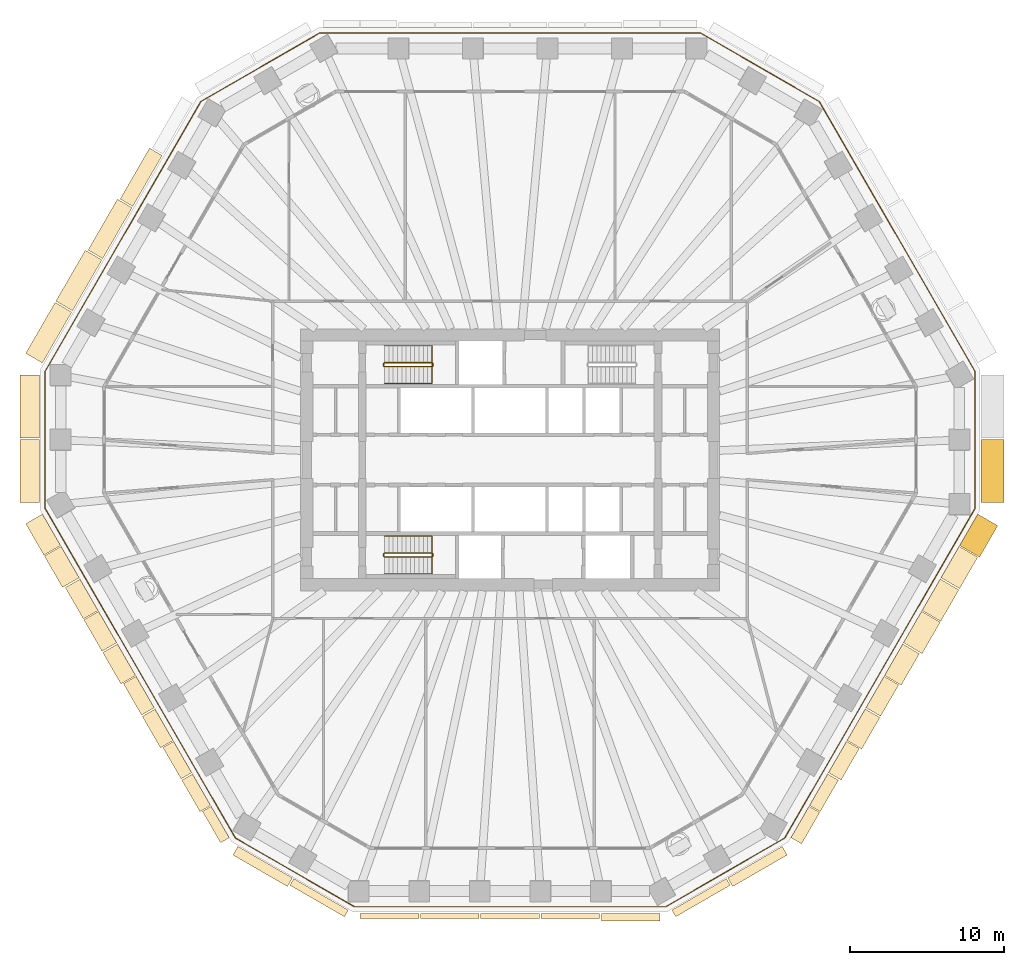
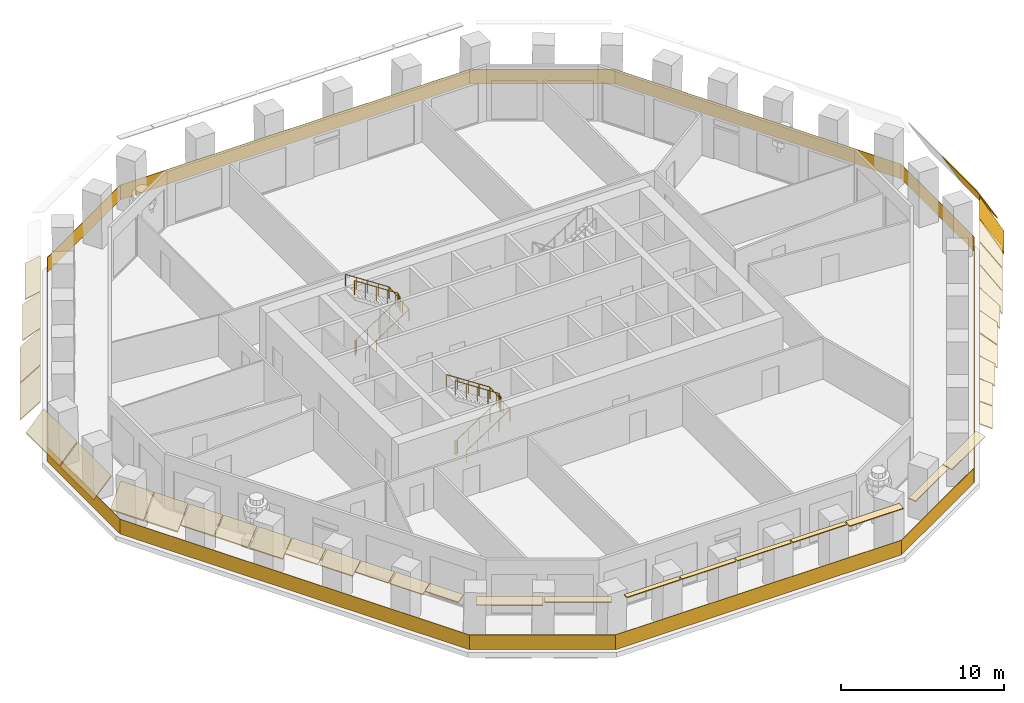
# One storey, part 9 of 12: 36 coverings, 5 railings.
"""IFC4 building model written with IfcOpenShell, lengths in metres."""

from ifc_helpers import new_model, si_unit, direction, frame, origin, origin_2d, place, context, subcontext, project, spatial, polyline, rectangle, circle, outline, extrude, material, layer, layer_set, type_object, element, save


model = new_model("IFC4")

# Units and contexts
model_context = context("Model", 3, precision=1e-05, world=origin(), true_north=direction((0.0, 1.0)))
body_context = subcontext(model_context, "Body", "Model", "MODEL_VIEW")
ifc_project = project(units=[si_unit("LENGTHUNIT", "METRE"), si_unit("AREAUNIT", "SQUARE_METRE"), si_unit("VOLUMEUNIT", "CUBIC_METRE"), si_unit("PLANEANGLEUNIT", "RADIAN"), si_unit("MASSUNIT", "GRAM", prefix="KILO")], contexts=[model_context])

# Site, building, storey
site_placement = place(None, origin())
site = spatial("IfcSite", under=ifc_project, at=site_placement, CompositionType="ELEMENT")
building_placement = place(site_placement, origin())
building = spatial("IfcBuilding", under=site, at=building_placement, Name="Frailejon Research Tower", CompositionType="ELEMENT")
storey_placement = place(building_placement, frame((0.0, 0.0, 122.0)))
storey = spatial("IfcBuildingStorey", under=building, at=storey_placement, Name="L26", CompositionType="ELEMENT", Elevation=122.0)

# Coverings
ifc_material_1 = material(Name="Precast concrete C50/60", Category="concrete")
ifc_layer_1 = layer(ifc_material_1, 0.06005859375)
ifc_layer_set_1 = layer_set([ifc_layer_1], Name="Brim blade depth 1100")
covering_type_1 = type_object("IfcCoveringType", Name="Brim blade depth 1100", PredefinedType="CLADDING", material=ifc_layer_set_1)
covering_1_placement = place(storey_placement, frame((-26.442626953125, 13.0654296875, 4.25), z_axis=(0.500001217064, 0.866024701111, 0.0), x_axis=(-0.866024701111, 0.500001217064, 0.0)))
element("IfcCovering", 1, at=covering_1_placement, inside=storey, type_object=covering_type_1, Name="Brim blade L26", PredefinedType="CLADDING", context=body_context, shape_type="SweptSolid", body=[
    extrude(outline(polyline([(0.0, -0.078369140625), (1.10009765625, -1.001220703125), (1.10009765625, -0.923095703125), (0.0, 0.0), (0.0, -0.078369140625)])), origin(), (0.0, 0.0, 1.0), 3.8125),
])
for number, where, z_axis, x_axis, name in (
    (2, (-26.7421875, -9.781005859375, 4.25), (-0.499996739973, 0.866027285954, 0.0), (-0.866027285954, -0.499996739973, 0.0), "Brim blade L26"),
    (3, (-25.53466796875, -11.872802734375, 4.25), (-0.499996739973, 0.866027285954, 0.0), (-0.866027285954, -0.499996739973, 0.0), "Brim blade L26"),
    (4, (-24.306884765625, -13.9990234375, 4.25), (-0.50000563012, 0.866022153209, 0.0), (-0.866022153209, -0.50000563012, 0.0), "Brim blade L26"),
    (5, (23.04931640625, -16.17724609375, 4.25), (-0.499996739973, -0.866027285954, 0.0), (0.866027285954, -0.499996739973, 0.0), "Brim blade L26"),
    (6, (24.277099609375, -14.051025390625, 4.25), (-0.50000563012, -0.866022153209, 0.0), (0.866022153209, -0.50000563012, 0.0), "Brim blade L26"),
):
    element("IfcCovering", number, at=place(storey_placement, frame(where, z_axis=z_axis, x_axis=x_axis)), inside=storey, type_object=covering_type_1, Name=name, PredefinedType="CLADDING", context=body_context, shape_type="SweptSolid", body=[
        extrude(outline(polyline([(0.0, -0.078369140625), (1.10009765625, -1.001220703125), (1.10009765625, -0.923095703125), (0.0, 0.0), (0.0, -0.078369140625)])), origin(), (0.0, 0.0, 1.0), 2.355224609375),
    ])
ifc_material_2 = material(Name="Precast concrete C50/60", Category="concrete")
ifc_layer_2 = layer(ifc_material_2, 0.06005859375)
ifc_layer_set_2 = layer_set([ifc_layer_2], Name="Brim blade depth 1250")
covering_type_2 = type_object("IfcCoveringType", Name="Brim blade depth 1250", PredefinedType="CLADDING", material=ifc_layer_set_2)
covering_2_placement = place(storey_placement, frame((-28.39892578125, 9.677001953125, 4.25), z_axis=(0.499990149831, 0.866031090707, 0.0), x_axis=(-0.866031090707, 0.499990149831, 0.0)))
element("IfcCovering", 7, at=covering_2_placement, inside=storey, type_object=covering_type_2, Name="Brim blade L26", PredefinedType="CLADDING", context=body_context, shape_type="SweptSolid", body=[
    extrude(outline(polyline([(0.0, -0.0888671875), (1.25, -1.452880859375), (1.25, -1.364013671875), (0.0, 0.0), (0.0, -0.0888671875)])), origin(), (0.0, 0.0, 1.0), 3.812744140625),
])
covering_3_placement = place(storey_placement, frame((-30.355224609375, 6.28857421875, 4.25), z_axis=(0.500001217064, 0.866024701111, 0.0), x_axis=(-0.866024701111, 0.500001217064, 0.0)))
element("IfcCovering", 8, at=covering_3_placement, inside=storey, type_object=covering_type_2, Name="Brim blade L26", PredefinedType="CLADDING", context=body_context, shape_type="SweptSolid", body=[
    extrude(outline(polyline([(0.0, -0.0888671875), (1.25, -1.452880859375), (1.25, -1.364013671875), (0.0, 0.0), (0.0, -0.0888671875)])), origin(), (0.0, 0.0, 1.0), 3.8125),
])
covering_4_placement = place(storey_placement, frame((-30.56103515625, 1.432861328125, 4.25), z_axis=(0.0, 1.0, 0.0), x_axis=(-1.0, 0.0, 0.0)))
element("IfcCovering", 9, at=covering_4_placement, inside=storey, type_object=covering_type_2, Name="Brim blade L26", PredefinedType="CLADDING", context=body_context, shape_type="SweptSolid", body=[
    extrude(outline(polyline([(0.0, -0.0888671875), (1.25, -1.452880859375), (1.25, -1.364013671875), (0.0, 0.0), (0.0, -0.0888671875)])), origin(), (0.0, 0.0, 1.0), 4.08740234375),
])
covering_5_placement = place(storey_placement, frame((-30.56103515625, -2.7548828125, 4.25), z_axis=(0.0, 1.0, 0.0), x_axis=(-1.0, 0.0, 0.0)))
element("IfcCovering", 10, at=covering_5_placement, inside=storey, type_object=covering_type_2, Name="Brim blade L26", PredefinedType="CLADDING", context=body_context, shape_type="SweptSolid", body=[
    extrude(outline(polyline([(0.0, -0.0888671875), (1.25, -1.452880859375), (1.25, -1.364013671875), (0.0, 0.0), (0.0, -0.0888671875)])), origin(), (0.0, 0.0, 1.0), 4.087646484375),
])
for number, where, z_axis, x_axis, name in (
    (11, (-29.177490234375, -5.56298828125, 4.25), (-0.499996739973, 0.866027285954, 0.0), (-0.866027285954, -0.499996739973, 0.0), "Brim blade L26"),
    (12, (-27.969970703125, -7.654541015625, 4.25), (-0.499996739973, 0.866027285954, 0.0), (-0.866027285954, -0.499996739973, 0.0), "Brim blade L26"),
    (13, (25.484619140625, -11.959228515625, 4.25), (-0.50000563012, -0.866022153209, 0.0), (0.866022153209, -0.50000563012, 0.0), "Brim blade L26"),
):
    element("IfcCovering", number, at=place(storey_placement, frame(where, z_axis=z_axis, x_axis=x_axis)), inside=storey, type_object=covering_type_2, Name=name, PredefinedType="CLADDING", context=body_context, shape_type="SweptSolid", body=[
        extrude(outline(polyline([(0.0, -0.0888671875), (1.25, -1.452880859375), (1.25, -1.364013671875), (0.0, 0.0), (0.0, -0.0888671875)])), origin(), (0.0, 0.0, 1.0), 2.355224609375),
    ])
ifc_material_3 = material(Name="Precast concrete C50/60", Category="concrete")
ifc_layer_3 = layer(ifc_material_3, 0.06005859375)
ifc_layer_set_3 = layer_set([ifc_layer_3], Name="Brim blade depth 1400")
covering_type_3 = type_object("IfcCoveringType", Name="Brim blade depth 1400", PredefinedType="CLADDING", material=ifc_layer_set_3)
for number, where, z_axis, x_axis, name in (
    (14, (26.71240234375, -9.8330078125, 4.25), (-0.499996739973, -0.866027285954, 0.0), (0.866027285954, -0.499996739973, 0.0), "Brim blade L26"),
    (15, (27.919921875, -7.7412109375, 4.25), (-0.499996739973, -0.866027285954, 0.0), (0.866027285954, -0.499996739973, 0.0), "Brim blade L26"),
    (16, (29.147705078125, -5.61474609375, 4.25), (-0.499996739973, -0.866027285954, 0.0), (0.866027285954, -0.499996739973, 0.0), "Brim blade L26"),
):
    element("IfcCovering", number, at=place(storey_placement, frame(where, z_axis=z_axis, x_axis=x_axis)), inside=storey, type_object=covering_type_3, Name=name, PredefinedType="CLADDING", context=body_context, shape_type="SweptSolid", body=[
        extrude(outline(polyline([(0.0, -0.1044921875), (1.39990234375, -2.10400390625), (1.39990234375, -1.99951171875), (0.0, 0.0), (0.0, -0.1044921875)])), origin(), (0.0, 0.0, 1.0), 2.355224609375),
    ])
ifc_material_4 = material(Name="Precast concrete C50/60", Category="concrete")
ifc_layer_4 = layer(ifc_material_4, 0.06005859375)
ifc_layer_set_4 = layer_set([ifc_layer_4], Name="Brim blade depth 1500")
covering_type_4 = type_object("IfcCoveringType", Name="Brim blade depth 1500", PredefinedType="CLADDING", material=ifc_layer_set_4)
covering_6_placement = place(storey_placement, frame((30.56103515625, 1.332763671875, 4.25), z_axis=(0.0, -1.0, 0.0), x_axis=(1.0, 0.0, 0.0)))
element("IfcCovering", 17, at=covering_6_placement, inside=storey, type_object=covering_type_4, Name="Brim blade L26", PredefinedType="CLADDING", context=body_context, shape_type="SweptSolid", body=[
    extrude(outline(polyline([(0.0, -0.1201171875), (1.5, -2.718017578125), (1.5, -2.59814453125), (0.0, 0.0), (0.0, -0.1201171875)])), origin(), (0.0, 0.0, 1.0), 4.087646484375),
])
covering_7_placement = place(storey_placement, frame((30.355224609375, -3.523193359375, 4.25), z_axis=(-0.499996739973, -0.866027285954, 0.0), x_axis=(0.866027285954, -0.499996739973, 0.0)))
element("IfcCovering", 18, at=covering_7_placement, inside=storey, type_object=covering_type_4, Name="Brim blade L26", PredefinedType="CLADDING", context=body_context, shape_type="SweptSolid", body=[
    extrude(outline(polyline([(0.0, -0.1201171875), (1.5, -2.718017578125), (1.5, -2.59814453125), (0.0, 0.0), (0.0, -0.1201171875)])), origin(), (0.0, 0.0, 1.0), 2.355224609375),
])
ifc_material_5 = material(Name="Precast concrete C50/60", Category="concrete")
ifc_layer_5 = layer(ifc_material_5, 0.06005859375)
ifc_layer_set_5 = layer_set([ifc_layer_5], Name="Brim blade depth 350")
covering_type_5 = type_object("IfcCoveringType", Name="Brim blade depth 350", PredefinedType="CLADDING", material=ifc_layer_set_5)
for number, where, z_axis, x_axis, name in (
    (19, (-5.9189453125, -29.432861328125, 4.25), (-1.0, 0.0, 0.0), (0.0, -1.0, 0.0), "Brim blade L26"),
    (20, (-2.00634765625, -29.432861328125, 4.25), (-1.0, 0.0, 0.0), (0.0, -1.0, 0.0), "Brim blade L26"),
    (21, (1.90625, -29.432861328125, 4.25), (-1.0, 0.0, 0.0), (0.0, -1.0, 0.0), "Brim blade L26"),
    (22, (5.81884765625, -29.432861328125, 4.25), (-1.0, 0.0, 0.0), (0.0, -1.0, 0.0), "Brim blade L26"),
):
    element("IfcCovering", number, at=place(storey_placement, frame(where, z_axis=z_axis, x_axis=x_axis)), inside=storey, type_object=covering_type_5, Name=name, PredefinedType="CLADDING", context=body_context, shape_type="SweptSolid", body=[
        extrude(outline(polyline([(0.0, -0.06005859375), (0.35009765625, -0.06005859375), (0.35009765625, 0.0), (0.0, 0.0), (0.0, -0.06005859375)])), origin(), (0.0, 0.0, 1.0), 3.8125),
    ])
ifc_material_6 = material(Name="Precast concrete C50/60", Category="concrete")
ifc_layer_6 = layer(ifc_material_6, 0.06005859375)
ifc_layer_set_6 = layer_set([ifc_layer_6], Name="Brim blade depth 500")
covering_type_6 = type_object("IfcCoveringType", Name="Brim blade depth 500", PredefinedType="CLADDING", material=ifc_layer_set_6)
covering_8_placement = place(storey_placement, frame((-10.499755859375, -29.226806640625, 4.25), z_axis=(-0.866027315287, 0.499996689166, 0.0), x_axis=(-0.499996689166, -0.866027315287, 0.0)))
element("IfcCovering", 23, at=covering_8_placement, inside=storey, type_object=covering_type_6, Name="Brim blade L26", PredefinedType="CLADDING", context=body_context, shape_type="SweptSolid", body=[
    extrude(outline(polyline([(0.0, -0.060546875), (0.5, -0.130859375), (0.5, -0.0703125), (0.0, 0.0), (0.0, -0.060546875)])), origin(), (0.0, 0.0, 1.0), 4.087646484375),
])
covering_9_placement = place(storey_placement, frame((9.7314453125, -29.432861328125, 4.25), z_axis=(-1.0, 0.0, 0.0), x_axis=(0.0, -1.0, 0.0)))
element("IfcCovering", 24, at=covering_9_placement, inside=storey, type_object=covering_type_6, Name="Brim blade L26", PredefinedType="CLADDING", context=body_context, shape_type="SweptSolid", body=[
    extrude(outline(polyline([(0.0, -0.060546875), (0.5, -0.130859375), (0.5, -0.0703125), (0.0, 0.0), (0.0, -0.060546875)])), origin(), (0.0, 0.0, 1.0), 3.8125),
])
covering_10_placement = place(storey_placement, frame((14.039794921875, -27.18310546875, 4.25), z_axis=(-0.866027315287, -0.499996689166, 0.0), x_axis=(0.499996689166, -0.866027315287, 0.0)))
element("IfcCovering", 25, at=covering_10_placement, inside=storey, type_object=covering_type_6, Name="Brim blade L26", PredefinedType="CLADDING", context=body_context, shape_type="SweptSolid", body=[
    extrude(outline(polyline([(0.0, -0.060546875), (0.5, -0.130859375), (0.5, -0.0703125), (0.0, 0.0), (0.0, -0.060546875)])), origin(), (0.0, 0.0, 1.0), 4.087646484375),
])
ifc_material_7 = material(Name="Precast concrete C50/60", Category="concrete")
ifc_layer_7 = layer(ifc_material_7, 0.06005859375)
ifc_layer_set_7 = layer_set([ifc_layer_7], Name="Brim blade depth 650")
covering_type_7 = type_object("IfcCoveringType", Name="Brim blade depth 650", PredefinedType="CLADDING", material=ifc_layer_set_7)
covering_11_placement = place(storey_placement, frame((-18.228759765625, -24.52685546875, 4.25), z_axis=(-0.499996739973, 0.866027285954, 0.0), x_axis=(-0.866027285954, -0.499996739973, 0.0)))
element("IfcCovering", 26, at=covering_11_placement, inside=storey, type_object=covering_type_7, Name="Brim blade L26", PredefinedType="CLADDING", context=body_context, shape_type="SweptSolid", body=[
    extrude(outline(polyline([(0.0, -0.0625), (0.64990234375, -0.248779296875), (0.64990234375, -0.186279296875), (0.0, 0.0), (0.0, -0.0625)])), origin(), (0.0, 0.0, 1.0), 2.355224609375),
])
for number, where, z_axis, x_axis, name in (
    (27, (-14.12646484375, -27.133056640625, 4.25), (-0.866021344981, 0.500007029989, 0.0), (-0.500007029989, -0.866021344981, 0.0), "Brim blade L26"),
    (28, (17.666259765625, -25.08935546875, 4.25), (-0.866021344981, -0.500007029989, 0.0), (0.500007029989, -0.866021344981, 0.0), "Brim blade L26"),
):
    element("IfcCovering", number, at=place(storey_placement, frame(where, z_axis=z_axis, x_axis=x_axis)), inside=storey, type_object=covering_type_7, Name=name, PredefinedType="CLADDING", context=body_context, shape_type="SweptSolid", body=[
        extrude(outline(polyline([(0.0, -0.0625), (0.64990234375, -0.248779296875), (0.64990234375, -0.186279296875), (0.0, 0.0), (0.0, -0.0625)])), origin(), (0.0, 0.0, 1.0), 4.08740234375),
    ])
ifc_material_8 = material(Name="Precast concrete C50/60", Category="concrete")
ifc_layer_8 = layer(ifc_material_8, 0.06005859375)
ifc_layer_set_8 = layer_set([ifc_layer_8], Name="Brim blade depth 800")
covering_type_8 = type_object("IfcCoveringType", Name="Brim blade depth 800", PredefinedType="CLADDING", material=ifc_layer_set_8)
for number, where, z_axis, x_axis, name in (
    (29, (-20.6640625, -20.308837890625, 4.25), (-0.499996739973, 0.866027285954, 0.0), (-0.866027285954, -0.499996739973, 0.0), "Brim blade L26"),
    (30, (-19.436279296875, -22.435302734375, 4.25), (-0.499996739973, 0.866027285954, 0.0), (-0.866027285954, -0.499996739973, 0.0), "Brim blade L26"),
    (31, (19.406494140625, -22.487060546875, 4.25), (-0.499996739973, -0.866027285954, 0.0), (0.866027285954, -0.499996739973, 0.0), "Brim blade L26"),
    (32, (20.614013671875, -20.3955078125, 4.25), (-0.499996739973, -0.866027285954, 0.0), (0.866027285954, -0.499996739973, 0.0), "Brim blade L26"),
):
    element("IfcCovering", number, at=place(storey_placement, frame(where, z_axis=z_axis, x_axis=x_axis)), inside=storey, type_object=covering_type_8, Name=name, PredefinedType="CLADDING", context=body_context, shape_type="SweptSolid", body=[
        extrude(outline(polyline([(0.0, -0.065673828125), (0.800048828125, -0.421875), (0.800048828125, -0.356201171875), (0.0, 0.0), (0.0, -0.065673828125)])), origin(), (0.0, 0.0, 1.0), 2.355224609375),
    ])
ifc_material_9 = material(Name="Precast concrete C50/60", Category="concrete")
ifc_layer_9 = layer(ifc_material_9, 0.06005859375)
ifc_layer_set_9 = layer_set([ifc_layer_9], Name="Brim blade depth 950")
covering_type_9 = type_object("IfcCoveringType", Name="Brim blade depth 950", PredefinedType="CLADDING", material=ifc_layer_set_9)
covering_12_placement = place(storey_placement, frame((-24.486328125, 16.453857421875, 4.25), z_axis=(0.500001217064, 0.866024701111, 0.0), x_axis=(-0.866024701111, 0.500001217064, 0.0)))
element("IfcCovering", 33, at=covering_12_placement, inside=storey, type_object=covering_type_9, Name="Brim blade L26", PredefinedType="CLADDING", context=body_context, shape_type="SweptSolid", body=[
    extrude(outline(polyline([(0.0, -0.07080078125), (0.949951171875, -0.664306640625), (0.949951171875, -0.593505859375), (0.0, 0.0), (0.0, -0.07080078125)])), origin(), (0.0, 0.0, 1.0), 3.8125),
])
for number, where, z_axis, x_axis, name in (
    (34, (-23.099365234375, -16.0908203125, 4.25), (-0.50000563012, 0.866022153209, 0.0), (-0.866022153209, -0.50000563012, 0.0), "Brim blade L26"),
    (35, (-21.87158203125, -18.217041015625, 4.25), (-0.499996739973, 0.866027285954, 0.0), (-0.866027285954, -0.499996739973, 0.0), "Brim blade L26"),
    (36, (21.841796875, -18.26904296875, 4.25), (-0.499996739973, -0.866027285954, 0.0), (0.866027285954, -0.499996739973, 0.0), "Brim blade L26"),
):
    element("IfcCovering", number, at=place(storey_placement, frame(where, z_axis=z_axis, x_axis=x_axis)), inside=storey, type_object=covering_type_9, Name=name, PredefinedType="CLADDING", context=body_context, shape_type="SweptSolid", body=[
        extrude(outline(polyline([(0.0, -0.07080078125), (0.949951171875, -0.664306640625), (0.949951171875, -0.593505859375), (0.0, 0.0), (0.0, -0.07080078125)])), origin(), (0.0, 0.0, 1.0), 2.355224609375),
    ])

# Railings
ifc_material_10 = material(Name="Laminated glass balustrade", Category="glass")
railing_type_1 = type_object("IfcRailingType", Name="Glass guard 1100", PredefinedType="GUARDRAIL", material=ifc_material_10)
railing_1_placement = place(storey_placement, frame((30.175048828125, -3.164794921875, 0.0)))
element("IfcRailing", 37, at=railing_1_placement, inside=storey, type_object=railing_type_1, Name="Loggia guard L26", PredefinedType="GUARDRAIL", context=body_context, shape_type="SweptSolid", body=[
    extrude(rectangle(XDim=8.9189453125, YDim=0.030029296875, at=origin_2d()), frame((0.0, 4.45947265625, 0.0), z_axis=(0.0, 0.0, 1.0), x_axis=(0.0, 1.0, 0.0)), (0.0, 0.0, 1.0), 1.10009765625),
    extrude(rectangle(XDim=20.208740234375, YDim=0.030029296875, at=origin_2d()), frame((-5.05224609375, 17.66943359375, 0.0), z_axis=(0.0, 0.0, 1.0), x_axis=(-0.499996792064, 0.866027255879, 0.0)), (0.0, 0.0, 1.0), 1.10009765625),
    extrude(rectangle(XDim=8.9189453125, YDim=0.030029296875, at=origin_2d()), frame((-13.96630859375, 28.64990234375, 0.0), z_axis=(0.0, 0.0, 1.0), x_axis=(-0.866039719717, 0.499975203257, 0.0)), (0.0, 0.0, 1.0), 1.10009765625),
    extrude(rectangle(XDim=24.693359375, YDim=0.030029296875, at=origin_2d()), frame((-30.175048828125, 30.87939453125, 0.0), z_axis=(0.0, 0.0, 1.0), x_axis=(-1.0, 0.0, 0.0)), (0.0, 0.0, 1.0), 1.10009765625),
    extrude(rectangle(XDim=8.9189453125, YDim=0.030029296875, at=origin_2d()), frame((-46.3837890625, 28.64990234375, 0.0), z_axis=(0.0, 0.0, 1.0), x_axis=(-0.866039719717, -0.499975203257, 0.0)), (0.0, 0.0, 1.0), 1.10009765625),
    extrude(rectangle(XDim=20.208740234375, YDim=0.030029296875, at=origin_2d()), frame((-55.2978515625, 17.66943359375, 0.0), z_axis=(0.0, 0.0, 1.0), x_axis=(-0.499996792064, -0.866027255879, 0.0)), (0.0, 0.0, 1.0), 1.10009765625),
    extrude(rectangle(XDim=8.9189453125, YDim=0.030029296875, at=origin_2d()), frame((-60.35009765625, 4.45947265625, 0.0), z_axis=(0.0, 0.0, 1.0), x_axis=(0.0, -1.0, 0.0)), (0.0, 0.0, 1.0), 1.10009765625),
    extrude(rectangle(XDim=24.693603515625, YDim=0.030029296875, at=origin_2d()), frame((-54.1767578125, -10.692626953125, 0.0), z_axis=(0.0, 0.0, 1.0), x_axis=(0.500004304605, -0.866022918505, 0.0)), (0.0, 0.0, 1.0), 1.10009765625),
    extrude(rectangle(XDim=8.918701171875, YDim=0.030029296875, at=origin_2d()), frame((-44.14111328125, -23.614990234375, 0.0), z_axis=(0.0, 0.0, 1.0), x_axis=(0.866021023613, -0.500007586602, 0.0)), (0.0, 0.0, 1.0), 1.10009765625),
    extrude(rectangle(XDim=20.20849609375, YDim=0.030029296875, at=origin_2d()), frame((-30.175048828125, -25.8447265625, 0.0), z_axis=(0.0, 0.0, 1.0), x_axis=(1.0, 0.0, 0.0)), (0.0, 0.0, 1.0), 1.10009765625),
    extrude(rectangle(XDim=8.918701171875, YDim=0.030029296875, at=origin_2d()), frame((-16.208984375, -23.614990234375, 0.0), z_axis=(0.0, 0.0, 1.0), x_axis=(0.866021023613, 0.500007586602, 0.0)), (0.0, 0.0, 1.0), 1.10009765625),
    extrude(rectangle(XDim=24.623779296875, YDim=0.030029296875, at=origin_2d()), frame((-6.19091796875, -10.722900390625, 0.0), z_axis=(0.0, 0.0, 1.0), x_axis=(0.50000567664, 0.86602212635, 0.0)), (0.0, 0.0, 1.0), 1.10009765625),
])
ifc_material_11 = material(Name="Stainless steel", Category="steel")
railing_type_2 = type_object("IfcRailingType", Name="Stair guard 1100", PredefinedType="GUARDRAIL", material=ifc_material_11)
railing_2_placement = place(storey_placement, frame((-8.199951171875, 6.25, 0.0)))
element("IfcRailing", 38, at=railing_2_placement, inside=storey, type_object=railing_type_2, Name="L26 ST1 stair guard 1", PredefinedType="GUARDRAIL", context=body_context, shape_type="SweptSolid", body=[
    extrude(circle(Radius=0.02392578125, at=origin_2d()), frame((0.0, 0.0, 1.076171875), z_axis=(0.0, -1.0, 0.0), x_axis=(1.0, 0.0, 0.0)), (0.0, 0.0, 1.0), 0.14990234375),
    extrude(circle(Radius=0.02392578125, at=origin_2d()), frame((0.0, -0.14990234375, 1.076171875), z_axis=(0.254653276557, -0.254653276557, 0.932900539971), x_axis=(0.707106781187, 0.707106781187, 0.0)), (0.0, 0.0, 1.0), 0.196533203125),
    extrude(circle(Radius=0.02392578125, at=origin_2d()), frame((0.050048828125, -0.199951171875, 1.25927734375), z_axis=(0.836613101238, 0.0, 0.547794230379), x_axis=(0.0, 1.0, 0.0)), (0.0, 0.0, 1.0), 3.681396484375),
    extrude(circle(Radius=0.02392578125, at=origin_2d()), frame((3.1298828125, -0.199951171875, 3.27587890625), z_axis=(0.707106781187, 0.707106781187, 0.0), x_axis=(-0.707106781187, 0.707106781187, 0.0)), (0.0, 0.0, 1.0), 0.07080078125),
    extrude(circle(Radius=0.02392578125, at=origin_2d()), frame((3.179931640625, -0.14990234375, 3.27587890625), z_axis=(0.0, 1.0, 0.0), x_axis=(-1.0, 0.0, 0.0)), (0.0, 0.0, 1.0), 0.14990234375),
    extrude(circle(Radius=0.02392578125, at=origin_2d()), frame((3.179931640625, 0.0, 3.27587890625), z_axis=(-0.254653276557, 0.254653276557, 0.932900539971), x_axis=(-0.707106781187, -0.707106781187, 0.0)), (0.0, 0.0, 1.0), 0.196533203125),
    extrude(circle(Radius=0.02392578125, at=origin_2d()), frame((3.1298828125, 0.050048828125, 3.45947265625), z_axis=(-0.836613101238, 0.0, 0.547794230379), x_axis=(0.0, -1.0, 0.0)), (0.0, 0.0, 1.0), 3.681396484375),
    extrude(circle(Radius=0.02099609375, at=origin_2d()), origin(), (0.0, 0.0, 1.0), 1.052001953125),
    extrude(circle(Radius=0.02099609375, at=origin_2d()), frame((0.0, -0.14990234375, 0.0)), (0.0, 0.0, 1.0), 1.052001953125),
    extrude(circle(Radius=0.02099609375, at=origin_2d()), frame((0.050048828125, -0.199951171875, 0.183349609375)), (0.0, 0.0, 1.0), 1.052001953125),
    extrude(circle(Radius=0.02099609375, at=origin_2d()), frame((0.820068359375, -0.199951171875, 0.6875)), (0.0, 0.0, 1.0), 1.052001953125),
    extrude(circle(Radius=0.02099609375, at=origin_2d()), frame((1.58984375, -0.199951171875, 1.191650390625)), (0.0, 0.0, 1.0), 1.052001953125),
    extrude(circle(Radius=0.02099609375, at=origin_2d()), frame((2.35986328125, -0.199951171875, 1.69580078125)), (0.0, 0.0, 1.0), 1.052001953125),
    extrude(circle(Radius=0.02099609375, at=origin_2d()), frame((3.1298828125, -0.199951171875, 2.199951171875)), (0.0, 0.0, 1.0), 1.052001953125),
    extrude(circle(Radius=0.02099609375, at=origin_2d()), frame((3.179931640625, -0.14990234375, 2.199951171875)), (0.0, 0.0, 1.0), 1.052001953125),
    extrude(circle(Radius=0.02099609375, at=origin_2d()), frame((3.179931640625, 0.0, 2.199951171875)), (0.0, 0.0, 1.0), 1.052001953125),
    extrude(circle(Radius=0.02099609375, at=origin_2d()), frame((3.1298828125, 0.050048828125, 2.38330078125)), (0.0, 0.0, 1.0), 1.052001953125),
    extrude(circle(Radius=0.02099609375, at=origin_2d()), frame((2.35986328125, 0.050048828125, 2.887451171875)), (0.0, 0.0, 1.0), 1.052001953125),
    extrude(circle(Radius=0.02099609375, at=origin_2d()), frame((1.58984375, 0.050048828125, 3.3916015625)), (0.0, 0.0, 1.0), 1.052001953125),
    extrude(circle(Radius=0.02099609375, at=origin_2d()), frame((0.820068359375, 0.050048828125, 3.895751953125)), (0.0, 0.0, 1.0), 1.052001953125),
    extrude(circle(Radius=0.02099609375, at=origin_2d()), frame((0.050048828125, 0.050048828125, 4.39990234375)), (0.0, 0.0, 1.0), 1.052001953125),
])
railing_3_placement = place(storey_placement, frame((-8.199951171875, -6.10009765625, 0.0)))
element("IfcRailing", 39, at=railing_3_placement, inside=storey, type_object=railing_type_2, Name="L26 ST2 stair guard 1", PredefinedType="GUARDRAIL", context=body_context, shape_type="SweptSolid", body=[
    extrude(circle(Radius=0.02392578125, at=origin_2d()), frame((0.0, 0.0, 1.076171875), z_axis=(0.0, -1.0, 0.0), x_axis=(1.0, 0.0, 0.0)), (0.0, 0.0, 1.0), 0.14990234375),
    extrude(circle(Radius=0.02392578125, at=origin_2d()), frame((0.0, -0.14990234375, 1.076171875), z_axis=(0.254653276557, -0.254653276557, 0.932900539971), x_axis=(0.707106781187, 0.707106781187, 0.0)), (0.0, 0.0, 1.0), 0.196533203125),
    extrude(circle(Radius=0.02392578125, at=origin_2d()), frame((0.050048828125, -0.199951171875, 1.25927734375), z_axis=(0.836613101238, 0.0, 0.547794230379), x_axis=(0.0, 1.0, 0.0)), (0.0, 0.0, 1.0), 3.681396484375),
    extrude(circle(Radius=0.02392578125, at=origin_2d()), frame((3.1298828125, -0.199951171875, 3.27587890625), z_axis=(0.707106781187, 0.707106781187, 0.0), x_axis=(-0.707106781187, 0.707106781187, 0.0)), (0.0, 0.0, 1.0), 0.07080078125),
    extrude(circle(Radius=0.02392578125, at=origin_2d()), frame((3.179931640625, -0.14990234375, 3.27587890625), z_axis=(0.0, 1.0, 0.0), x_axis=(-1.0, 0.0, 0.0)), (0.0, 0.0, 1.0), 0.14990234375),
    extrude(circle(Radius=0.02392578125, at=origin_2d()), frame((3.179931640625, 0.0, 3.27587890625), z_axis=(-0.254653276557, 0.254653276557, 0.932900539971), x_axis=(-0.707106781187, -0.707106781187, 0.0)), (0.0, 0.0, 1.0), 0.196533203125),
    extrude(circle(Radius=0.02392578125, at=origin_2d()), frame((3.1298828125, 0.050048828125, 3.45947265625), z_axis=(-0.836613101238, 0.0, 0.547794230379), x_axis=(0.0, -1.0, 0.0)), (0.0, 0.0, 1.0), 3.681396484375),
    extrude(circle(Radius=0.02099609375, at=origin_2d()), origin(), (0.0, 0.0, 1.0), 1.052001953125),
    extrude(circle(Radius=0.02099609375, at=origin_2d()), frame((0.0, -0.14990234375, 0.0)), (0.0, 0.0, 1.0), 1.052001953125),
    extrude(circle(Radius=0.02099609375, at=origin_2d()), frame((0.050048828125, -0.199951171875, 0.183349609375)), (0.0, 0.0, 1.0), 1.052001953125),
    extrude(circle(Radius=0.02099609375, at=origin_2d()), frame((0.820068359375, -0.199951171875, 0.6875)), (0.0, 0.0, 1.0), 1.052001953125),
    extrude(circle(Radius=0.02099609375, at=origin_2d()), frame((1.58984375, -0.199951171875, 1.191650390625)), (0.0, 0.0, 1.0), 1.052001953125),
    extrude(circle(Radius=0.02099609375, at=origin_2d()), frame((2.35986328125, -0.199951171875, 1.69580078125)), (0.0, 0.0, 1.0), 1.052001953125),
    extrude(circle(Radius=0.02099609375, at=origin_2d()), frame((3.1298828125, -0.199951171875, 2.199951171875)), (0.0, 0.0, 1.0), 1.052001953125),
    extrude(circle(Radius=0.02099609375, at=origin_2d()), frame((3.179931640625, -0.14990234375, 2.199951171875)), (0.0, 0.0, 1.0), 1.052001953125),
    extrude(circle(Radius=0.02099609375, at=origin_2d()), frame((3.179931640625, 0.0, 2.199951171875)), (0.0, 0.0, 1.0), 1.052001953125),
    extrude(circle(Radius=0.02099609375, at=origin_2d()), frame((3.1298828125, 0.050048828125, 2.38330078125)), (0.0, 0.0, 1.0), 1.052001953125),
    extrude(circle(Radius=0.02099609375, at=origin_2d()), frame((2.35986328125, 0.050048828125, 2.887451171875)), (0.0, 0.0, 1.0), 1.052001953125),
    extrude(circle(Radius=0.02099609375, at=origin_2d()), frame((1.58984375, 0.050048828125, 3.3916015625)), (0.0, 0.0, 1.0), 1.052001953125),
    extrude(circle(Radius=0.02099609375, at=origin_2d()), frame((0.820068359375, 0.050048828125, 3.895751953125)), (0.0, 0.0, 1.0), 1.052001953125),
    extrude(circle(Radius=0.02099609375, at=origin_2d()), frame((0.050048828125, 0.050048828125, 4.39990234375)), (0.0, 0.0, 1.0), 1.052001953125),
])
ifc_material_12 = material(Name="Stainless steel", Category="steel")
railing_type_3 = type_object("IfcRailingType", Name="Stair handrail 900", PredefinedType="HANDRAIL", material=ifc_material_12)
railing_4_placement = place(storey_placement, frame((-8.14990234375, 4.949951171875, 0.183349609375)))
element("IfcRailing", 40, at=railing_4_placement, inside=storey, type_object=railing_type_3, Name="L26 ST1 stair handrail 1", PredefinedType="HANDRAIL", context=body_context, shape_type="SweptSolid", body=[
    extrude(circle(Radius=0.02392578125, at=origin_2d()), frame((0.0, 0.0, 0.8759765625), z_axis=(0.836613101238, 0.0, 0.547794230379), x_axis=(0.0, 1.0, 0.0)), (0.0, 0.0, 1.0), 3.681396484375),
    extrude(circle(Radius=0.02392578125, at=origin_2d()), frame((3.079833984375, 0.0, 2.892578125), z_axis=(0.0, 0.99721134034, 0.074629368868), x_axis=(-1.0, 0.0, 0.0)), (0.0, 0.0, 1.0), 2.456787109375),
    extrude(circle(Radius=0.02392578125, at=origin_2d()), frame((3.079833984375, 2.449951171875, 3.07568359375), z_axis=(-0.836613101238, 0.0, 0.547794230379), x_axis=(0.0, -1.0, 0.0)), (0.0, 0.0, 1.0), 3.681396484375),
    extrude(circle(Radius=0.02099609375, at=origin_2d()), origin(), (0.0, 0.0, 1.0), 0.851806640625),
    extrude(circle(Radius=0.02099609375, at=origin_2d()), frame((0.77001953125, 0.0, 0.504150390625)), (0.0, 0.0, 1.0), 0.851806640625),
    extrude(circle(Radius=0.02099609375, at=origin_2d()), frame((1.5400390625, 0.0, 1.00830078125)), (0.0, 0.0, 1.0), 0.851806640625),
    extrude(circle(Radius=0.02099609375, at=origin_2d()), frame((2.309814453125, 0.0, 1.512451171875)), (0.0, 0.0, 1.0), 0.851806640625),
    extrude(circle(Radius=0.02099609375, at=origin_2d()), frame((3.079833984375, 0.0, 2.0166015625)), (0.0, 0.0, 1.0), 0.851806640625),
    extrude(circle(Radius=0.02099609375, at=origin_2d()), frame((3.079833984375, 0.816650390625, 2.07763671875)), (0.0, 0.0, 1.0), 0.851806640625),
    extrude(circle(Radius=0.02099609375, at=origin_2d()), frame((3.079833984375, 1.63330078125, 2.138916015625)), (0.0, 0.0, 1.0), 0.851806640625),
    extrude(circle(Radius=0.02099609375, at=origin_2d()), frame((3.079833984375, 2.449951171875, 2.199951171875)), (0.0, 0.0, 1.0), 0.851806640625),
    extrude(circle(Radius=0.02099609375, at=origin_2d()), frame((2.309814453125, 2.449951171875, 2.7041015625)), (0.0, 0.0, 1.0), 0.851806640625),
    extrude(circle(Radius=0.02099609375, at=origin_2d()), frame((1.5400390625, 2.449951171875, 3.208251953125)), (0.0, 0.0, 1.0), 0.851806640625),
    extrude(circle(Radius=0.02099609375, at=origin_2d()), frame((0.77001953125, 2.449951171875, 3.71240234375)), (0.0, 0.0, 1.0), 0.851806640625),
    extrude(circle(Radius=0.02099609375, at=origin_2d()), frame((0.0, 2.449951171875, 4.216552734375)), (0.0, 0.0, 1.0), 0.851806640625),
])
railing_5_placement = place(storey_placement, frame((-8.14990234375, -7.39990234375, 0.183349609375)))
element("IfcRailing", 41, at=railing_5_placement, inside=storey, type_object=railing_type_3, Name="L26 ST2 stair handrail 1", PredefinedType="HANDRAIL", context=body_context, shape_type="SweptSolid", body=[
    extrude(circle(Radius=0.02392578125, at=origin_2d()), frame((0.0, 0.0, 0.8759765625), z_axis=(0.836613101238, 0.0, 0.547794230379), x_axis=(0.0, 1.0, 0.0)), (0.0, 0.0, 1.0), 3.681396484375),
    extrude(circle(Radius=0.02392578125, at=origin_2d()), frame((3.079833984375, 0.0, 2.892578125), z_axis=(0.0, 0.99721134034, 0.074629368868), x_axis=(-1.0, 0.0, 0.0)), (0.0, 0.0, 1.0), 2.456787109375),
    extrude(circle(Radius=0.02392578125, at=origin_2d()), frame((3.079833984375, 2.449951171875, 3.07568359375), z_axis=(-0.836613101238, 0.0, 0.547794230379), x_axis=(0.0, -1.0, 0.0)), (0.0, 0.0, 1.0), 3.681396484375),
    extrude(circle(Radius=0.02099609375, at=origin_2d()), origin(), (0.0, 0.0, 1.0), 0.851806640625),
    extrude(circle(Radius=0.02099609375, at=origin_2d()), frame((0.77001953125, 0.0, 0.504150390625)), (0.0, 0.0, 1.0), 0.851806640625),
    extrude(circle(Radius=0.02099609375, at=origin_2d()), frame((1.5400390625, 0.0, 1.00830078125)), (0.0, 0.0, 1.0), 0.851806640625),
    extrude(circle(Radius=0.02099609375, at=origin_2d()), frame((2.309814453125, 0.0, 1.512451171875)), (0.0, 0.0, 1.0), 0.851806640625),
    extrude(circle(Radius=0.02099609375, at=origin_2d()), frame((3.079833984375, 0.0, 2.0166015625)), (0.0, 0.0, 1.0), 0.851806640625),
    extrude(circle(Radius=0.02099609375, at=origin_2d()), frame((3.079833984375, 0.816650390625, 2.07763671875)), (0.0, 0.0, 1.0), 0.851806640625),
    extrude(circle(Radius=0.02099609375, at=origin_2d()), frame((3.079833984375, 1.63330078125, 2.138916015625)), (0.0, 0.0, 1.0), 0.851806640625),
    extrude(circle(Radius=0.02099609375, at=origin_2d()), frame((3.079833984375, 2.449951171875, 2.199951171875)), (0.0, 0.0, 1.0), 0.851806640625),
    extrude(circle(Radius=0.02099609375, at=origin_2d()), frame((2.309814453125, 2.449951171875, 2.7041015625)), (0.0, 0.0, 1.0), 0.851806640625),
    extrude(circle(Radius=0.02099609375, at=origin_2d()), frame((1.5400390625, 2.449951171875, 3.208251953125)), (0.0, 0.0, 1.0), 0.851806640625),
    extrude(circle(Radius=0.02099609375, at=origin_2d()), frame((0.77001953125, 2.449951171875, 3.71240234375)), (0.0, 0.0, 1.0), 0.851806640625),
    extrude(circle(Radius=0.02099609375, at=origin_2d()), frame((0.0, 2.449951171875, 4.216552734375)), (0.0, 0.0, 1.0), 0.851806640625),
])

save(model, "model.ifc")
